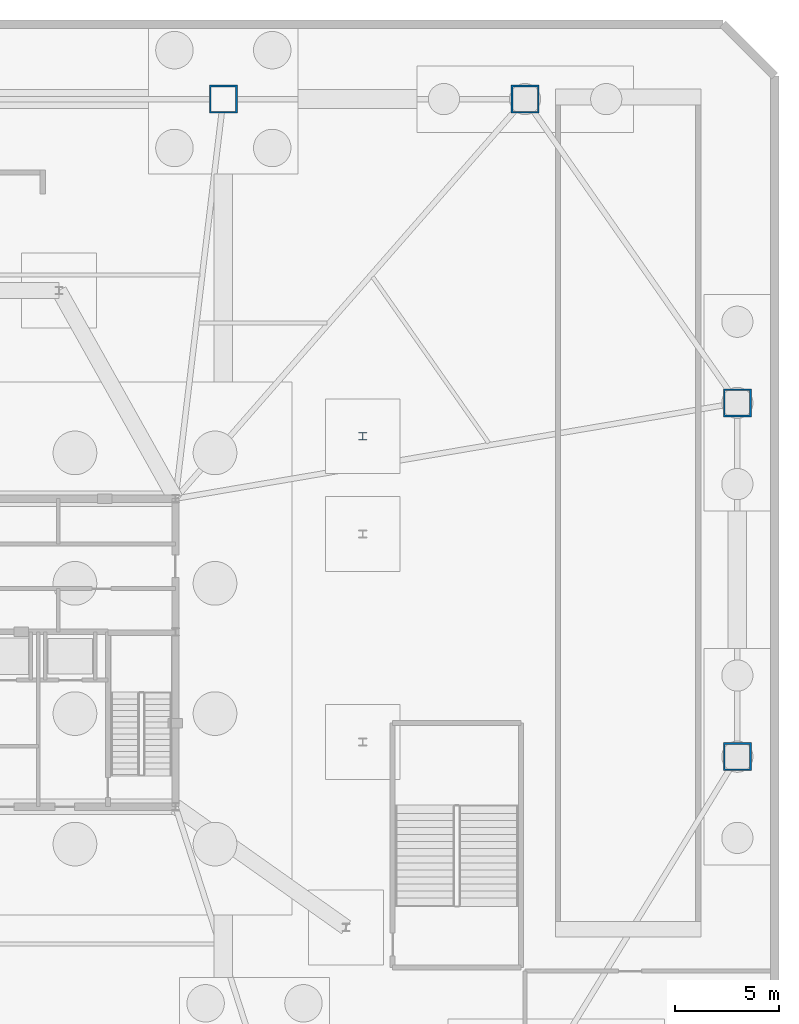
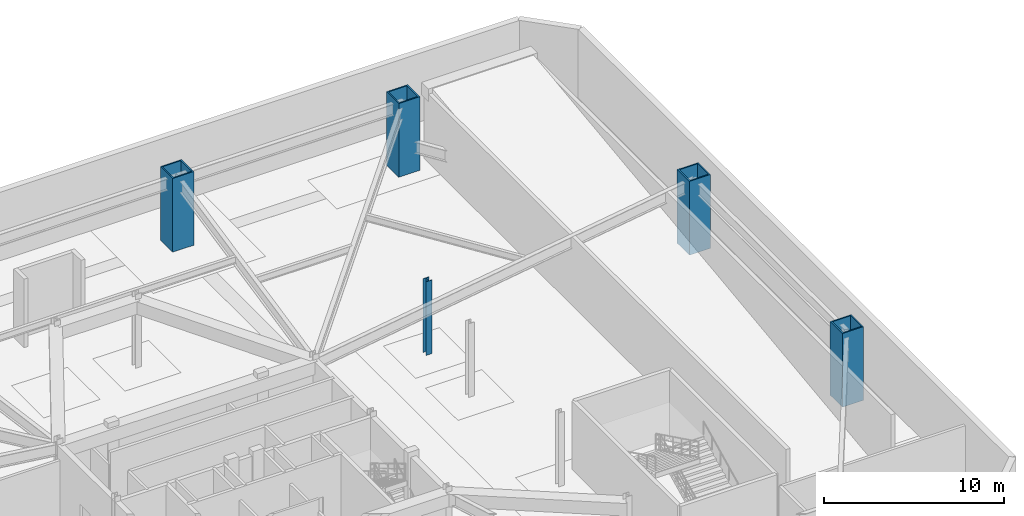
# One storey, part 5 of 12: 5 columns.
"""IFC4 building model written with IfcOpenShell, lengths in metres."""

from ifc_helpers import new_model, si_unit, direction, frame, origin, origin_2d, place, context, subcontext, project, spatial, hollow_rectangle, i_section, extrude, material, material_profile, profile_set, type_object, element, save


model = new_model("IFC4")

# Units and contexts
model_context = context("Model", 3, precision=1e-05, world=origin(), true_north=direction((0.0, 1.0)))
body_context = subcontext(model_context, "Body", "Model", "MODEL_VIEW")
ifc_project = project(units=[si_unit("LENGTHUNIT", "METRE"), si_unit("AREAUNIT", "SQUARE_METRE"), si_unit("VOLUMEUNIT", "CUBIC_METRE"), si_unit("PLANEANGLEUNIT", "RADIAN"), si_unit("MASSUNIT", "GRAM", prefix="KILO")], contexts=[model_context])

# Site, building, storey
site_placement = place(None, origin())
site = spatial("IfcSite", under=ifc_project, at=site_placement, CompositionType="ELEMENT")
building_placement = place(site_placement, origin())
building = spatial("IfcBuilding", under=site, at=building_placement, Name="Varakhsha Concourse Tower", CompositionType="ELEMENT")
storey_placement = place(building_placement, frame((0.0, 0.0, -10.0)))
storey = spatial("IfcBuildingStorey", under=building, at=storey_placement, Name="B02", CompositionType="ELEMENT", Elevation=-10.0)

# Columns
ifc_material_1 = material(Name="Structural Steel ASTM A992 Grade 50", Category="steel")
ifc_material_profile_1 = material_profile(ifc_material_1, i_section(OverallWidth=0.368896484375, OverallDepth=0.35595703125, WebThickness=0.010986328125, FlangeThickness=0.01806640625, at=origin_2d()), Name="W14X90")
ifc_profile_set_1 = profile_set([ifc_material_profile_1], Name="Structural Steel ASTM A992 Grade 50")
column_type_1 = type_object("IfcColumnType", Name="CL-POD-W14X90", PredefinedType="COLUMN", material=ifc_profile_set_1)
column_placement = place(storey_placement, frame((57.199951171875, 34.199951171875, 0.0), z_axis=(0.0, 0.0, 1.0), x_axis=(1.0, 0.0, 0.0)))
element("IfcColumn", 1, at=column_placement, inside=storey, type_object=column_type_1, Name="B02 Substructure Column AUX-E3", PredefinedType="COLUMN", context=body_context, shape_type="SweptSolid", body=[
    extrude(i_section(OverallWidth=0.368896484375, OverallDepth=0.35595703125, WebThickness=0.010986328125, FlangeThickness=0.01806640625, at=origin_2d()), origin(), (0.0, 0.0, 1.0), 5.0),
])
ifc_material_2 = material(Name="Structural Steel ASTM A572 Grade 50", Category="steel")
ifc_material_profile_2 = material_profile(ifc_material_2, hollow_rectangle(XDim=1.35009765625, YDim=1.35009765625, WallThickness=0.0849609375, at=origin_2d()), Name="BOX 1350x1350x85")
ifc_profile_set_2 = profile_set([ifc_material_profile_2], Name="Structural Steel ASTM A572 Grade 50")
column_type_2 = type_object("IfcColumnType", Name="CL-STILT-1350", PredefinedType="COLUMN", material=ifc_profile_set_2)
for number, where, z_axis, x_axis, name in (
    (2, (75.199951171875, 18.800048828125, 0.0), (0.0, 0.0, 1.0), (1.0, 0.0, 0.0), "B02 Podium Mega-Column PC-E1"),
    (3, (75.199951171875, 35.800048828125, 0.0), (0.0, 0.0, 1.0), (1.0, 0.0, 0.0), "B02 Podium Mega-Column PC-E2"),
    (4, (50.5, 50.39990234375, 0.0), (0.0, 0.0, 1.0), (1.0, 0.0, 0.0), "B02 Podium Mega-Column PC-N3"),
    (5, (65.0, 50.39990234375, 0.0), (0.0, 0.0, 1.0), (1.0, 0.0, 0.0), "B02 Podium Mega-Column PC-N4"),
):
    element("IfcColumn", number, at=place(storey_placement, frame(where, z_axis=z_axis, x_axis=x_axis)), inside=storey, type_object=column_type_2, Name=name, PredefinedType="COLUMN", context=body_context, shape_type="SweptSolid", body=[
        extrude(hollow_rectangle(XDim=1.35009765625, YDim=1.35009765625, WallThickness=0.0849609375, at=origin_2d()), origin(), (0.0, 0.0, 1.0), 5.0),
    ])

save(model, "model.ifc")
